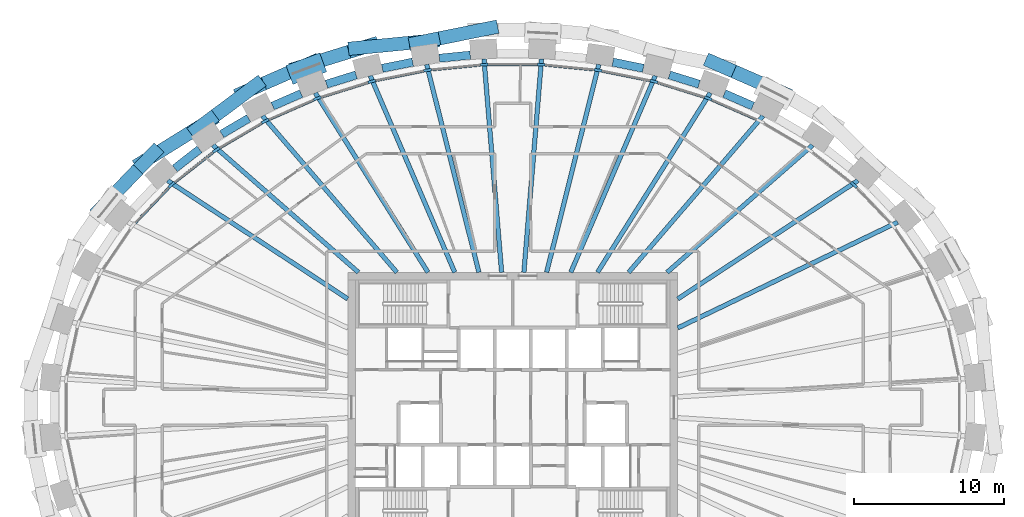
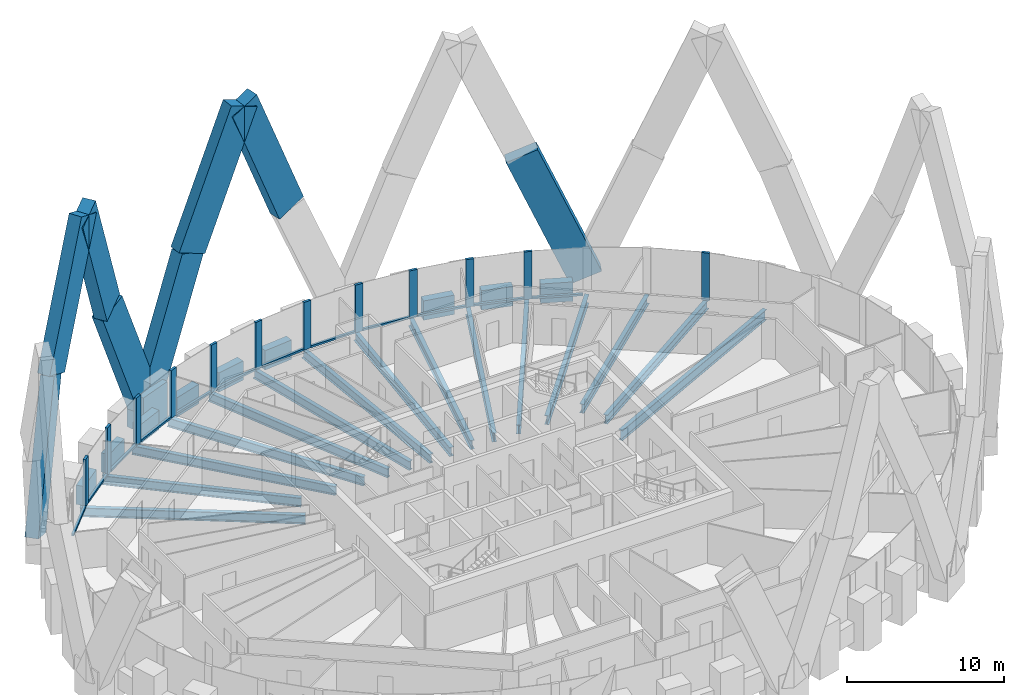
# One storey, part 4 of 14: 33 members, 24 beams, 1 element without a shape of its own.
"""IFC4 building model written with IfcOpenShell, lengths in metres."""

import ifcopenshell
import ifcopenshell.guid

model = None  # the IFC model being written
_history = None  # IfcOwnerHistory: only IFC2X3 demands one
_inside = {}  # id of a spatial element -> (the spatial element, [elements in it])
_under = {}  # id of a project, library or spatial element -> (it, [spatial elements below it])
_declared = {}  # id of a project -> (the project, [libraries it declares])
_typed = {}  # id of a type object -> (the type object, [elements of that type])
_made_of = {}  # id of a material, layer set ... -> (it, [elements and type objects made of it])


def new_model(schema):
    """Start an empty IFC model of exactly this schema.

    Asked for "IFC4X3", IfcOpenShell would pick the latest addendum, in which some entities
    have other attributes; the version numbers below select the first issue.
    IFC2X3 requires an IfcOwnerHistory on every rooted entity: one is made here for all.
    """
    global model, _history
    if schema == "IFC4X3":
        model = ifcopenshell.file(schema_version=(4, 3, 0, 0))
    else:
        model = ifcopenshell.file(schema=schema)
    _inside.clear()
    _under.clear()
    _declared.clear()
    _typed.clear()
    _made_of.clear()
    _history = None
    if model.schema == "IFC2X3":
        org = make("IfcOrganization", Name="unknown")
        user = make(
            "IfcPersonAndOrganization",
            ThePerson=make("IfcPerson", FamilyName="unknown"),
            TheOrganization=org,
        )
        app = make(
            "IfcApplication",
            ApplicationDeveloper=org,
            Version="unknown",
            ApplicationFullName="unknown",
            ApplicationIdentifier="unknown",
        )
        _history = make(
            "IfcOwnerHistory",
            OwningUser=user,
            OwningApplication=app,
            ChangeAction="ADDED",
            CreationDate=0,
        )
    return model


def make(cls, **values):
    """One entity of the class cls with the attributes given. An attribute that is None is left unset."""
    return model.create_entity(
        cls, **{name: value for name, value in values.items() if value is not None}
    )


def rooted(cls, **values):
    """An entity with a GlobalId (a new one), such as an element, a storey or a relation."""
    return make(cls, GlobalId=ifcopenshell.guid.new(), OwnerHistory=_history, **values)


def si_unit(unit_type, name, prefix=None):
    """IfcSIUnit, for example si_unit("LENGTHUNIT", "METRE", prefix="MILLI")."""
    return make("IfcSIUnit", UnitType=unit_type, Prefix=prefix, Name=name)


def assignment(units):
    """IfcUnitAssignment: the units of a project."""
    return None if units is None else make("IfcUnitAssignment", Units=units)


def point(xyz):
    """IfcCartesianPoint."""
    return None if xyz is None else make("IfcCartesianPoint", Coordinates=xyz)


def direction(xyz):
    """IfcDirection."""
    return None if xyz is None else make("IfcDirection", DirectionRatios=xyz)


def frame(location, z_axis=None, x_axis=None):
    """IfcAxis2Placement3D, a coordinate frame: its origin and axes. An axis left out is left unset."""
    return make(
        "IfcAxis2Placement3D",
        Location=point(location),
        Axis=direction(z_axis),
        RefDirection=direction(x_axis),
    )


def frame_2d(location, x_axis=None):
    """IfcAxis2Placement2D, a coordinate frame in the plane: its origin and x axis."""
    return make(
        "IfcAxis2Placement2D", Location=point(location), RefDirection=direction(x_axis)
    )


def origin():
    """The frame at (0, 0, 0) with its axes left unset."""
    return frame((0.0, 0.0, 0.0))


def origin_2d():
    """The frame at (0, 0) in the plane with its x axis left unset."""
    return frame_2d((0.0, 0.0))


def place(relative_to, where):
    """IfcLocalPlacement: puts the frame where relative to a parent placement (None: the world)."""
    return make(
        "IfcLocalPlacement", PlacementRelTo=relative_to, RelativePlacement=where
    )


def context(
    kind, dimensions, precision=None, world=None, true_north=None, identifier=None
):
    """IfcGeometricRepresentationContext, for example the 3D "Model" context."""
    return make(
        "IfcGeometricRepresentationContext",
        ContextIdentifier=identifier,
        ContextType=kind,
        CoordinateSpaceDimension=dimensions,
        Precision=precision,
        WorldCoordinateSystem=world,
        TrueNorth=true_north,
    )


def subcontext(parent, identifier, kind, view, scale=None):
    """IfcGeometricRepresentationSubContext, for example "Body" below "Model"."""
    return make(
        "IfcGeometricRepresentationSubContext",
        ContextIdentifier=identifier,
        ContextType=kind,
        ParentContext=parent,
        TargetScale=scale,
        TargetView=view,
    )


def project(units=None, contexts=None):
    """IfcProject with its units and contexts."""
    return rooted(
        "IfcProject",
        Name="project",
        RepresentationContexts=contexts,
        UnitsInContext=assignment(units),
    )


def spatial(cls, under=None, at=None, **own):
    """A site, building, storey or space (cls), placed at a placement, below another one or the project."""
    s = rooted(cls, ObjectPlacement=at, **own)
    if under is not None:
        _under.setdefault(under.id(), (under, []))[1].append(s)
    return s


def profile(cls, at=None, kind="AREA", **sizes):
    """A parametric profile (cls). Its sizes go by their IFC names, for example OverallWidth=200.0."""
    return make(cls, ProfileType=kind, Position=at, **sizes)


def rectangle(**sizes):
    """IfcRectangleProfileDef."""
    return profile("IfcRectangleProfileDef", **sizes)


def i_section(**sizes):
    """IfcIShapeProfileDef."""
    return profile("IfcIShapeProfileDef", **sizes)


def extrude(swept, where, along, depth):
    """IfcExtrudedAreaSolid: the profile swept, set in the frame where, extruded along a direction by depth."""
    return make(
        "IfcExtrudedAreaSolid",
        SweptArea=swept,
        Position=where,
        ExtrudedDirection=direction(along),
        Depth=depth,
    )


def shape(context_of_items, identifier, shape_type, items):
    """IfcShapeRepresentation: the items that make up one representation, for example the "Body"."""
    return make(
        "IfcShapeRepresentation",
        ContextOfItems=context_of_items,
        RepresentationIdentifier=identifier,
        RepresentationType=shape_type,
        Items=items,
    )


def source(mapping_origin, context_of_items, identifier, shape_type, items):
    """IfcRepresentationMap: a shape defined once, which mapped items show again and again."""
    return make(
        "IfcRepresentationMap",
        MappingOrigin=mapping_origin,
        MappedRepresentation=shape(context_of_items, identifier, shape_type, items),
    )


def transform(
    local_origin,
    x_axis=None,
    y_axis=None,
    z_axis=None,
    scale=None,
    scale2=None,
    scale3=None,
    uniform=True,
):
    """IfcCartesianTransformationOperator3D, or its non-uniform kind. x_axis, y_axis, z_axis: its Axis1, 2, 3."""
    if uniform:
        return make(
            "IfcCartesianTransformationOperator3D",
            Axis1=direction(x_axis),
            Axis2=direction(y_axis),
            LocalOrigin=point(local_origin),
            Scale=scale,
            Axis3=direction(z_axis),
        )
    return make(
        "IfcCartesianTransformationOperator3DnonUniform",
        Axis1=direction(x_axis),
        Axis2=direction(y_axis),
        LocalOrigin=point(local_origin),
        Scale=scale,
        Axis3=direction(z_axis),
        Scale2=scale2,
        Scale3=scale3,
    )


def mapped(mapping_source, mapping_target):
    """IfcMappedItem: shows the shape of a source again, moved by a transform."""
    return make(
        "IfcMappedItem", MappingSource=mapping_source, MappingTarget=mapping_target
    )


def material(Name=None, Category=None):
    """IfcMaterial."""
    return make("IfcMaterial", Name=Name, Category=Category)


def material_profile(
    of_material, cross_section, Name=None, Category=None, Priority=None
):
    """IfcMaterialProfile: a cross section and its material."""
    return make(
        "IfcMaterialProfile",
        Name=Name,
        Material=of_material,
        Profile=cross_section,
        Priority=Priority,
        Category=Category,
    )


def profile_set(profiles, Name=None, composite=None):
    """IfcMaterialProfileSet."""
    return make(
        "IfcMaterialProfileSet",
        Name=Name,
        MaterialProfiles=profiles,
        CompositeProfile=composite,
    )


def made_of(thing, what):
    """Note that an element or type object is made of a material, layer set ...; save() writes the relation."""
    if what is not None:
        _made_of.setdefault(what.id(), (what, []))[1].append(thing)
    return thing


def type_object(cls, material=None, **own):
    """A type object (cls), such as IfcWallType, which elements share."""
    return made_of(rooted(cls, **own), material)


def element(
    cls,
    number,
    at=None,
    inside=None,
    cuts=None,
    type_object=None,
    material=None,
    context=None,
    identifier="Body",
    shape_type=None,
    held_by="IfcProductDefinitionShape",
    body=None,
    shapes=None,
    **own,
):
    """One element of the class cls, such as IfcWall. Its Tag is "e" and its number.

    at: its placement. inside: the storey or other place that contains it. cuts: it is an
    opening in that element (IfcRelVoidsElement). A single representation is given by context,
    identifier, shape_type and body (its items); several are given by shapes. held_by: the class
    of the entity that holds the representations. save() writes the other relations.
    """
    e = rooted(cls, Tag="e%d" % number, ObjectPlacement=at, **own)
    if body is not None:
        shapes = [shape(context, identifier, shape_type, body)]
    if shapes is not None:
        e.Representation = make(held_by, Representations=shapes)
    if inside is not None:
        _inside.setdefault(inside.id(), (inside, []))[1].append(e)
    if cuts is not None:
        rooted(
            "IfcRelVoidsElement", RelatingBuildingElement=cuts, RelatedOpeningElement=e
        )
    if type_object is not None:
        _typed.setdefault(type_object.id(), (type_object, []))[1].append(e)
    return made_of(e, material)


def aggregate(whole, parts):
    """IfcRelAggregates: a whole, such as a stair, and the parts it consists of."""
    return rooted("IfcRelAggregates", RelatingObject=whole, RelatedObjects=parts)


def save(model, path):
    """Write the relations noted so far, then the file.

    IfcRelAggregates (storeys below a building ...), IfcRelContainedInSpatialStructure (elements
    in a storey), IfcRelDefinesByType, IfcRelAssociatesMaterial and IfcRelDeclares: one each for
    every whole, place, type object, material and project.
    """
    for whole, parts in _under.values():
        aggregate(whole, parts)
    for where, things in _inside.values():
        rooted(
            "IfcRelContainedInSpatialStructure",
            RelatedElements=things,
            RelatingStructure=where,
        )
    for kind, things in _typed.values():
        rooted("IfcRelDefinesByType", RelatedObjects=things, RelatingType=kind)
    for what, things in _made_of.values():
        rooted("IfcRelAssociatesMaterial", RelatedObjects=things, RelatingMaterial=what)
    for by, libraries in _declared.values():
        rooted("IfcRelDeclares", RelatingContext=by, RelatedDefinitions=libraries)
    model.write(path)


model = new_model("IFC4")

# Units and contexts
model_context = context("Model", 3, precision=1e-05, world=origin(), true_north=direction((0.0, 1.0)))
body_context = subcontext(model_context, "Body", "Model", "MODEL_VIEW")
ifc_project = project(units=[si_unit("LENGTHUNIT", "METRE"), si_unit("AREAUNIT", "SQUARE_METRE"), si_unit("VOLUMEUNIT", "CUBIC_METRE"), si_unit("PLANEANGLEUNIT", "RADIAN"), si_unit("MASSUNIT", "GRAM", prefix="KILO")], contexts=[model_context])

# Site, building, storey
site_placement = place(None, origin())
site = spatial("IfcSite", under=ifc_project, at=site_placement, CompositionType="ELEMENT")
building_placement = place(site_placement, origin())
building = spatial("IfcBuilding", under=site, at=building_placement, Name="Embergate Tower", CompositionType="ELEMENT")
storey_placement = place(building_placement, frame((0.0, 0.0, 297.39990234375)))
storey = spatial("IfcBuildingStorey", under=building, at=storey_placement, Name="L69", CompositionType="ELEMENT", Elevation=297.39990234375)

# Beams
ifc_material_1 = material(Name="Steel Q355B", Category="steel")
ifc_material_profile_1 = material_profile(ifc_material_1, i_section(OverallWidth=0.300048828125, OverallDepth=0.699951171875, WebThickness=0.012939453125, FlangeThickness=0.02392578125, FilletRadius=0.01806640625, at=origin_2d()), Name="HN 700x300x13x24")
ifc_profile_set_1 = profile_set([ifc_material_profile_1], Name="Steel Q355 grade B")
beam_type_1 = type_object("IfcBeamType", Name="Radial girder HN 700x300x13x24", PredefinedType="BEAM", material=ifc_profile_set_1)
shared_shape_1 = source(origin(), body_context, "Body", "SweptSolid", [
    extrude(i_section(OverallWidth=0.300048828125, OverallDepth=0.699951171875, WebThickness=0.012939453125, FlangeThickness=0.02392578125, FilletRadius=0.01806640625, at=origin_2d()), origin(), (0.0, 0.0, 1.0), 13.742431640625),
])
for number, where, z_axis, x_axis, name in (
    (1, (16.681884765625, 19.426025390625, -0.5498046875), (-0.651474345674, -0.758670664339, 0.0), (0.758670664339, -0.651474345674, 0.0), "GIR-L69-06"),
    (2, (-16.681884765625, 19.426025390625, -0.5498046875), (0.651474345674, -0.758670664339, 0.0), (0.758670664339, 0.651474345674, 0.0), "GIR-L69-15"),
):
    element("IfcBeam", number, at=place(storey_placement, frame(where, z_axis=z_axis, x_axis=x_axis)), inside=storey, type_object=beam_type_1, Name=name, PredefinedType="BEAM", context=body_context, shape_type="MappedRepresentation", body=[
        mapped(shared_shape_1, transform((0.0, 0.0, 0.0))),
    ])
ifc_material_2 = material(Name="Concrete C50", Category="concrete")
ifc_material_profile_2 = material_profile(ifc_material_2, rectangle(XDim=0.550048828125, YDim=1.5, at=origin_2d()), Name="RC 550x1500")
ifc_profile_set_2 = profile_set([ifc_material_profile_2], Name="Concrete C50")
beam_type_2 = type_object("IfcBeamType", Name="Spandrel beam RC 550x1500 C50", PredefinedType="BEAM", material=ifc_profile_set_2)
shared_shape_2 = source(origin(), body_context, "Body", "SweptSolid", [
    extrude(rectangle(XDim=0.550048828125, YDim=1.5, at=origin_2d()), origin(), (0.0, 0.0, 1.0), 2.0791015625),
])
beam_1_placement = place(storey_placement, frame((-20.887939453125, 17.2041015625, 0.0), z_axis=(-0.788383845435, -0.615183641084, 0.0), x_axis=(0.615183641084, -0.788383845435, 0.0)))
element("IfcBeam", 3, at=beam_1_placement, inside=storey, type_object=beam_type_2, Name="SPN-L69-16", PredefinedType="BEAM", context=body_context, shape_type="MappedRepresentation", body=[
    mapped(shared_shape_2, transform((0.0, 0.0, 0.0))),
])
shared_shape_3 = source(origin(), body_context, "Body", "SweptSolid", [
    extrude(rectangle(XDim=0.550048828125, YDim=1.5, at=origin_2d()), origin(), (0.0, 0.0, 1.0), 2.074462890625),
])
beam_2_placement = place(storey_placement, frame((-17.611083984375, 19.26806640625, 0.0), z_axis=(-0.861864620017, -0.507138419726, 0.0), x_axis=(0.507138419726, -0.861864620017, 0.0)))
element("IfcBeam", 4, at=beam_2_placement, inside=storey, type_object=beam_type_2, Name="SPN-L69-15", PredefinedType="BEAM", context=body_context, shape_type="MappedRepresentation", body=[
    mapped(shared_shape_3, transform((0.0, 0.0, 0.0))),
])
shared_shape_4 = source(origin(), body_context, "Body", "SweptSolid", [
    extrude(rectangle(XDim=0.550048828125, YDim=1.5, at=origin_2d()), origin(), (0.0, 0.0, 1.0), 2.073486328125),
])
for number, where, z_axis, x_axis, name in (
    (5, (16.008056640625, 20.0859375, 0.0), (-0.91637608024, 0.400318472673, 0.0), (-0.400318472673, -0.91637608024, 0.0), "SPN-L69-06"),
    (6, (-14.10791015625, 20.916015625, 0.0), (-0.91637608024, -0.400318472673, 0.0), (0.400318472673, -0.91637608024, 0.0), "SPN-L69-14"),
):
    element("IfcBeam", number, at=place(storey_placement, frame(where, z_axis=z_axis, x_axis=x_axis)), inside=storey, type_object=beam_type_2, Name=name, PredefinedType="BEAM", context=body_context, shape_type="MappedRepresentation", body=[
        mapped(shared_shape_4, transform((0.0, 0.0, 0.0))),
    ])
shared_shape_5 = source(origin(), body_context, "Body", "SweptSolid", [
    extrude(rectangle(XDim=0.550048828125, YDim=1.5, at=origin_2d()), origin(), (0.0, 0.0, 1.0), 2.07080078125),
])
for number, where, z_axis, x_axis, name in (
    (7, (12.422119140625, 21.544921875, 0.0), (-0.954735561173, 0.297455892917, 0.0), (-0.297455892917, -0.954735561173, 0.0), "SPN-L69-07"),
    (8, (-10.445068359375, 22.160888671875, 0.0), (-0.954735561173, -0.297455892917, 0.0), (0.297455892917, -0.954735561173, 0.0), "SPN-L69-13"),
):
    element("IfcBeam", number, at=place(storey_placement, frame(where, z_axis=z_axis, x_axis=x_axis)), inside=storey, type_object=beam_type_2, Name=name, PredefinedType="BEAM", context=body_context, shape_type="MappedRepresentation", body=[
        mapped(shared_shape_5, transform((0.0, 0.0, 0.0))),
    ])
shared_shape_6 = source(origin(), body_context, "Body", "SweptSolid", [
    extrude(rectangle(XDim=0.550048828125, YDim=1.5, at=origin_2d()), origin(), (0.0, 0.0, 1.0), 2.070556640625),
])
for number, where, z_axis, x_axis, name in (
    (9, (8.700927734375, 22.60595703125, 0.0), (-0.980398860457, 0.197023030165, 0.0), (-0.197023030165, -0.980398860457, 0.0), "SPN-L69-08"),
    (10, (-6.6708984375, 23.013916015625, 0.0), (-0.980398860457, -0.197023030165, 0.0), (0.197023030165, -0.980398860457, 0.0), "SPN-L69-12"),
):
    element("IfcBeam", number, at=place(storey_placement, frame(where, z_axis=z_axis, x_axis=x_axis)), inside=storey, type_object=beam_type_2, Name=name, PredefinedType="BEAM", context=body_context, shape_type="MappedRepresentation", body=[
        mapped(shared_shape_6, transform((0.0, 0.0, 0.0))),
    ])
shared_shape_7 = source(origin(), body_context, "Body", "SweptSolid", [
    extrude(rectangle(XDim=0.550048828125, YDim=1.5, at=origin_2d()), origin(), (0.0, 0.0, 1.0), 2.06884765625),
])
beam_3_placement = place(storey_placement, frame((-2.83203125, 23.48095703125, 0.0), z_axis=(-0.995226952233, -0.097587466149, 0.0), x_axis=(0.097587466149, -0.995226952233, 0.0)))
element("IfcBeam", 11, at=beam_3_placement, inside=storey, type_object=beam_type_2, Name="SPN-L69-11", PredefinedType="BEAM", context=body_context, shape_type="MappedRepresentation", body=[
    mapped(shared_shape_7, transform((0.0, 0.0, 0.0))),
])
ifc_material_profile_3 = material_profile(ifc_material_1, i_section(OverallWidth=0.300048828125, OverallDepth=0.800048828125, WebThickness=0.013916015625, FlangeThickness=0.02587890625, FilletRadius=0.028076171875, at=origin_2d()), Name="HN 800x300x14x26")
ifc_profile_set_3 = profile_set([ifc_material_profile_3], Name="Steel Q355 grade B")
beam_type_3 = type_object("IfcBeamType", Name="Radial girder HN 800x300x14x26", PredefinedType="BEAM", material=ifc_profile_set_3)
shared_shape_8 = source(origin(), body_context, "Body", "SweptSolid", [
    extrude(i_section(OverallWidth=0.300048828125, OverallDepth=0.800048828125, WebThickness=0.013916015625, FlangeThickness=0.02587890625, FilletRadius=0.028076171875, at=origin_2d()), origin(), (0.0, 0.0, 1.0), 16.268310546875),
])
beam_4_placement = place(storey_placement, frame((25.659912109375, 12.344970703125, -0.599853515625), z_axis=(-0.901133717561, -0.433541258791, 0.0), x_axis=(0.433541258791, -0.901133717561, 0.0)))
element("IfcBeam", 12, at=beam_4_placement, inside=storey, type_object=beam_type_3, Name="GIR-L69-03", PredefinedType="BEAM", context=body_context, shape_type="MappedRepresentation", body=[
    mapped(shared_shape_8, transform((0.0, 0.0, 0.0))),
])
shared_shape_9 = source(origin(), body_context, "Body", "SweptSolid", [
    extrude(i_section(OverallWidth=0.300048828125, OverallDepth=0.699951171875, WebThickness=0.012939453125, FlangeThickness=0.02392578125, FilletRadius=0.01806640625, at=origin_2d()), origin(), (0.0, 0.0, 1.0), 14.3740234375),
])
for number, where, z_axis, x_axis, name in (
    (13, (23.012939453125, 15.1201171875, -0.5498046875), (-0.835742226811, -0.549121963069, 0.0), (0.549121963069, -0.835742226811, 0.0), "GIR-L69-04"),
    (14, (-23.012939453125, 15.1201171875, -0.5498046875), (0.835742226811, -0.549121963069, 0.0), (0.549121963069, 0.835742226811, 0.0), "GIR-L69-17"),
):
    element("IfcBeam", number, at=place(storey_placement, frame(where, z_axis=z_axis, x_axis=x_axis)), inside=storey, type_object=beam_type_1, Name=name, PredefinedType="BEAM", context=body_context, shape_type="MappedRepresentation", body=[
        mapped(shared_shape_9, transform((0.0, 0.0, 0.0))),
    ])
shared_shape_10 = source(origin(), body_context, "Body", "SweptSolid", [
    extrude(i_section(OverallWidth=0.300048828125, OverallDepth=0.699951171875, WebThickness=0.012939453125, FlangeThickness=0.02392578125, FilletRadius=0.01806640625, at=origin_2d()), origin(), (0.0, 0.0, 1.0), 12.88330078125),
])
for number, where, z_axis, x_axis, name in (
    (15, (19.989013671875, 17.48095703125, -0.5498046875), (-0.752760969036, -0.658293949157, 0.0), (0.658293949157, -0.752760969036, 0.0), "GIR-L69-05"),
    (16, (-19.989013671875, 17.48095703125, -0.5498046875), (0.752760969036, -0.658293949157, 0.0), (0.658293949157, 0.752760969036, 0.0), "GIR-L69-16"),
):
    element("IfcBeam", number, at=place(storey_placement, frame(where, z_axis=z_axis, x_axis=x_axis)), inside=storey, type_object=beam_type_1, Name=name, PredefinedType="BEAM", context=body_context, shape_type="MappedRepresentation", body=[
        mapped(shared_shape_10, transform((0.0, 0.0, 0.0))),
    ])
shared_shape_11 = source(origin(), body_context, "Body", "SweptSolid", [
    extrude(i_section(OverallWidth=0.300048828125, OverallDepth=0.699951171875, WebThickness=0.012939453125, FlangeThickness=0.02392578125, FilletRadius=0.01806640625, at=origin_2d()), origin(), (0.0, 0.0, 1.0), 14.126953125),
])
for number, where, z_axis, x_axis, name in (
    (17, (13.166015625, 20.962890625, -0.5498046875), (-0.531886600535, -0.846815590416, 0.0), (0.846815590416, -0.531886600535, 0.0), "GIR-L69-07"),
    (18, (-13.166015625, 20.962890625, -0.5498046875), (0.531886600535, -0.846815590416, 0.0), (0.846815590416, 0.531886600535, 0.0), "GIR-L69-14"),
):
    element("IfcBeam", number, at=place(storey_placement, frame(where, z_axis=z_axis, x_axis=x_axis)), inside=storey, type_object=beam_type_1, Name=name, PredefinedType="BEAM", context=body_context, shape_type="MappedRepresentation", body=[
        mapped(shared_shape_11, transform((0.0, 0.0, 0.0))),
    ])
shared_shape_12 = source(origin(), body_context, "Body", "SweptSolid", [
    extrude(i_section(OverallWidth=0.300048828125, OverallDepth=0.699951171875, WebThickness=0.012939453125, FlangeThickness=0.02392578125, FilletRadius=0.01806640625, at=origin_2d()), origin(), (0.0, 0.0, 1.0), 14.263427734375),
])
for number, where, z_axis, x_axis, name in (
    (19, (9.501953125, 22.10400390625, -0.5498046875), (-0.394929229866, -0.918711545262, 0.0), (0.918711545262, -0.394929229866, 0.0), "GIR-L69-08"),
    (20, (-9.501953125, 22.10400390625, -0.5498046875), (0.394929229866, -0.918711545262, 0.0), (0.918711545262, 0.394929229866, 0.0), "GIR-L69-13"),
):
    element("IfcBeam", number, at=place(storey_placement, frame(where, z_axis=z_axis, x_axis=x_axis)), inside=storey, type_object=beam_type_1, Name=name, PredefinedType="BEAM", context=body_context, shape_type="MappedRepresentation", body=[
        mapped(shared_shape_12, transform((0.0, 0.0, 0.0))),
    ])
shared_shape_13 = source(origin(), body_context, "Body", "SweptSolid", [
    extrude(i_section(OverallWidth=0.300048828125, OverallDepth=0.699951171875, WebThickness=0.012939453125, FlangeThickness=0.02392578125, FilletRadius=0.01806640625, at=origin_2d()), origin(), (0.0, 0.0, 1.0), 14.288818359375),
])
for number, where, z_axis, x_axis, name in (
    (21, (5.738037109375, 22.85888671875, -0.5498046875), (-0.243476248961, -0.969906859545, 0.0), (0.969906859545, -0.243476248961, 0.0), "GIR-L69-09"),
    (22, (-5.738037109375, 22.85888671875, -0.5498046875), (0.243476248961, -0.969906859545, 0.0), (0.969906859545, 0.243476248961, 0.0), "GIR-L69-12"),
):
    element("IfcBeam", number, at=place(storey_placement, frame(where, z_axis=z_axis, x_axis=x_axis)), inside=storey, type_object=beam_type_1, Name=name, PredefinedType="BEAM", context=body_context, shape_type="MappedRepresentation", body=[
        mapped(shared_shape_13, transform((0.0, 0.0, 0.0))),
    ])
shared_shape_14 = source(origin(), body_context, "Body", "SweptSolid", [
    extrude(i_section(OverallWidth=0.300048828125, OverallDepth=0.699951171875, WebThickness=0.012939453125, FlangeThickness=0.02392578125, FilletRadius=0.01806640625, at=origin_2d()), origin(), (0.0, 0.0, 1.0), 14.282470703125),
])
for number, where, z_axis, x_axis, name in (
    (23, (1.9189453125, 23.23388671875, -0.5498046875), (-0.082340957712, -0.996604217673, 0.0), (0.996604217673, -0.082340957712, 0.0), "GIR-L69-10"),
    (24, (-1.9189453125, 23.23388671875, -0.5498046875), (0.082340957712, -0.996604217673, 0.0), (0.996604217673, 0.082340957712, 0.0), "GIR-L69-11"),
):
    element("IfcBeam", number, at=place(storey_placement, frame(where, z_axis=z_axis, x_axis=x_axis)), inside=storey, type_object=beam_type_1, Name=name, PredefinedType="BEAM", context=body_context, shape_type="MappedRepresentation", body=[
        mapped(shared_shape_14, transform((0.0, 0.0, 0.0))),
    ])

# Members
ifc_material_3 = material(Name="Concrete C70", Category="concrete")
ifc_material_profile_4 = material_profile(ifc_material_3, rectangle(XDim=1.35009765625, YDim=2.39990234375, at=origin_2d()), Name="RC 1350x2400")
ifc_profile_set_4 = profile_set([ifc_material_profile_4], Name="Concrete C70")
member_type_1 = type_object("IfcMemberType", Name="Lattice node block RC 1350x2400", PredefinedType="POST", material=ifc_profile_set_4)
shared_shape_15 = source(origin(), body_context, "Body", "SweptSolid", [
    extrude(rectangle(XDim=1.35009765625, YDim=2.39990234375, at=origin_2d()), origin(), (0.0, 0.0, 1.0), 2.800048828125),
])
member_1_placement = place(storey_placement, frame((-13.76611328125, 22.580078125, -1.39990234375), z_axis=(0.0, 0.0, 1.0), x_axis=(-0.348343015724, 0.93736713373, 0.0)))
element("IfcMember", 25, at=member_1_placement, inside=storey, type_object=member_type_1, Name="NOD-L69-14", PredefinedType="POST", context=body_context, shape_type="MappedRepresentation", body=[
    mapped(shared_shape_15, transform((0.0, 0.0, 0.0))),
])
ifc_material_profile_5 = material_profile(ifc_material_3, rectangle(XDim=0.89990234375, YDim=2.199951171875, at=origin_2d()), Name="RC 900x2200")
ifc_profile_set_5 = profile_set([ifc_material_profile_5], Name="Concrete C70")
member_type_2 = type_object("IfcMemberType", Name="Lattice diagonal terracotta-faced RC 900x2200", PredefinedType="BRACE", material=ifc_profile_set_5)
shared_shape_16 = source(origin(), body_context, "Body", "SweptSolid", [
    extrude(rectangle(XDim=0.89990234375, YDim=2.199951171875, at=origin_2d()), origin(), (0.0, 0.0, 1.0), 10.577392578125),
])
member_2_placement = place(storey_placement, frame((17.56494140625, 21.1640625, 0.0), z_axis=(-0.355382386336, 0.155036922064, 0.921773785849), x_axis=(-0.399859896252, -0.916576272532, 0.0)))
element("IfcMember", 26, at=member_2_placement, inside=storey, type_object=member_type_2, Name="BRC-L69-06-08-S00", PredefinedType="BRACE", context=body_context, shape_type="MappedRepresentation", body=[
    mapped(shared_shape_16, transform((0.0, 0.0, 0.0))),
])
shared_shape_17 = source(origin(), body_context, "Body", "SweptSolid", [
    extrude(rectangle(XDim=0.89990234375, YDim=2.199951171875, at=origin_2d()), origin(), (0.0, 0.0, 1.0), 10.523193359375),
])
member_3_placement = place(storey_placement, frame((-2.007080078125, 25.181884765625, 9.75), z_axis=(-0.368790159638, -0.074495797848, 0.926522635588), x_axis=(0.198001250328, -0.980201767428, 0.0)))
element("IfcMember", 27, at=member_3_placement, inside=storey, type_object=member_type_2, Name="BRC-L69-10-12-S01", PredefinedType="BRACE", context=body_context, shape_type="MappedRepresentation", body=[
    mapped(shared_shape_17, transform((0.0, 0.0, 0.0))),
])
shared_shape_18 = source(origin(), body_context, "Body", "SweptSolid", [
    extrude(rectangle(XDim=0.89990234375, YDim=2.199951171875, at=origin_2d()), origin(), (0.0, 0.0, 1.0), 10.568359375),
])
member_4_placement = place(storey_placement, frame((-13.844970703125, 22.791015625, 0.0), z_axis=(0.368462628565, 0.114489077566, 0.922565738833), x_axis=(-0.296726871369, 0.954962388687, 0.0)))
element("IfcMember", 28, at=member_4_placement, inside=storey, type_object=member_type_2, Name="BRC-L69-14-12-S00", PredefinedType="BRACE", context=body_context, shape_type="MappedRepresentation", body=[
    mapped(shared_shape_18, transform((0.0, 0.0, 0.0))),
])
shared_shape_19 = source(origin(), body_context, "Body", "SweptSolid", [
    extrude(rectangle(XDim=0.89990234375, YDim=2.199951171875, at=origin_2d()), origin(), (0.0, 0.0, 1.0), 10.570068359375),
])
member_5_placement = place(storey_placement, frame((-9.950927734375, 24.0009765625, 9.75), z_axis=(0.384383408048, 0.037556028211, 0.922409312812), x_axis=(-0.097241562071, 0.995260809339, 0.0)))
element("IfcMember", 29, at=member_5_placement, inside=storey, type_object=member_type_2, Name="BRC-L69-14-12-S01", PredefinedType="BRACE", context=body_context, shape_type="MappedRepresentation", body=[
    mapped(shared_shape_19, transform((0.0, 0.0, 0.0))),
])
shared_shape_20 = source(origin(), body_context, "Body", "SweptSolid", [
    extrude(rectangle(XDim=0.89990234375, YDim=2.199951171875, at=origin_2d()), origin(), (0.0, 0.0, 1.0), 10.543701171875),
])
member_6_placement = place(storey_placement, frame((-13.844970703125, 22.791015625, 0.0), z_axis=(-0.348735265358, -0.152613646768, 0.924712273908), x_axis=(0.400911368929, -0.916116845311, 0.0)))
element("IfcMember", 30, at=member_6_placement, inside=storey, type_object=member_type_2, Name="BRC-L69-14-16-S00", PredefinedType="BRACE", context=body_context, shape_type="MappedRepresentation", body=[
    mapped(shared_shape_20, transform((0.0, 0.0, 0.0))),
])
shared_shape_21 = source(origin(), body_context, "Body", "SweptSolid", [
    extrude(rectangle(XDim=0.89990234375, YDim=2.199951171875, at=origin_2d()), origin(), (0.0, 0.0, 1.0), 10.498046875),
])
member_7_placement = place(storey_placement, frame((-17.52197265625, 21.181884765625, 9.75), z_axis=(-0.297114150188, -0.221742597217, 0.928737531457), x_axis=(0.59811147292, -0.801412918514, 0.0)))
element("IfcMember", 31, at=member_7_placement, inside=storey, type_object=member_type_2, Name="BRC-L69-14-16-S01", PredefinedType="BRACE", context=body_context, shape_type="MappedRepresentation", body=[
    mapped(shared_shape_21, transform((0.0, 0.0, 0.0))),
])
shared_shape_22 = source(origin(), body_context, "Body", "SweptSolid", [
    extrude(rectangle(XDim=0.89990234375, YDim=2.199951171875, at=origin_2d()), origin(), (0.0, 0.0, 1.0), 10.60791015625),
])
member_8_placement = place(storey_placement, frame((-27.173095703125, 13.574951171875, 0.0), z_axis=(0.272356000098, 0.284691881123, 0.919115195192), x_axis=(-0.722588572584, 0.691278348259, 0.0)))
element("IfcMember", 32, at=member_8_placement, inside=storey, type_object=member_type_2, Name="BRC-L69-18-16-S00", PredefinedType="BRACE", context=body_context, shape_type="MappedRepresentation", body=[
    mapped(shared_shape_22, transform((0.0, 0.0, 0.0))),
])
shared_shape_23 = source(origin(), body_context, "Body", "SweptSolid", [
    extrude(rectangle(XDim=0.89990234375, YDim=2.199951171875, at=origin_2d()), origin(), (0.0, 0.0, 1.0), 10.650634765625),
])
member_9_placement = place(storey_placement, frame((-24.283935546875, 16.594970703125, 9.75), z_axis=(0.342028858084, 0.212103278859, 0.915438943532), x_axis=(-0.527021127315, 0.849852182067, 0.0)))
element("IfcMember", 33, at=member_9_placement, inside=storey, type_object=member_type_2, Name="BRC-L69-18-16-S01", PredefinedType="BRACE", context=body_context, shape_type="MappedRepresentation", body=[
    mapped(shared_shape_23, transform((0.0, 0.0, 0.0))),
])

# Curtain wall, members
ifc_material_4 = material(Name="Aluminium and glass", Category="aluminium")
curtain_wall_type = type_object("IfcCurtainWallType", Name="Recessed office glazing", PredefinedType="NOTDEFINED", material=ifc_material_4)
curtain_wall_placement = place(storey_placement, origin())
curtain_wall = element("IfcCurtainWall", 34, at=curtain_wall_placement, inside=storey, type_object=curtain_wall_type, Name="Recessed office glazing ring", ObjectType="RECESSED OFFICE GLAZING", PredefinedType="USERDEFINED")
ifc_material_5 = material(Name="Aluminium, thermally broken", Category="aluminium")
ifc_material_profile_6 = material_profile(ifc_material_5, rectangle(XDim=0.179931640625, YDim=0.52001953125, at=origin_2d()), Name="AL 520x180")
ifc_profile_set_6 = profile_set([ifc_material_profile_6], Name="Aluminium, thermally broken")
member_type_3 = type_object("IfcMemberType", Name="Office mullion", PredefinedType="MULLION", material=ifc_profile_set_6)
shared_shape_24 = source(origin(), body_context, "Body", "SweptSolid", [
    extrude(rectangle(XDim=0.179931640625, YDim=0.52001953125, at=origin_2d()), origin(), (0.0, 0.0, 1.0), 3.7001953125),
])
member_10_placement = place(storey_placement, frame((22.752197265625, 14.83056640625, 0.0), z_axis=(0.0, 0.0, 1.0), x_axis=(-0.671220065284, -0.741258135847, 0.0)))
member_10 = element("IfcMember", 35, at=member_10_placement, type_object=member_type_3, Name="CW mullion 5", PredefinedType="MULLION", context=body_context, shape_type="MappedRepresentation", body=[
    mapped(shared_shape_24, transform((0.0, 0.0, 0.0))),
])
member_11_placement = place(storey_placement, frame((13.029541015625, 20.597412109375, 0.0), z_axis=(0.0, 0.0, 1.0), x_axis=(-0.349501047589, -0.936935973124, 0.0)))
member_11 = element("IfcMember", 36, at=member_11_placement, type_object=member_type_3, Name="CW mullion 8", PredefinedType="MULLION", context=body_context, shape_type="MappedRepresentation", body=[
    mapped(shared_shape_24, transform((0.0, 0.0, 0.0))),
])
member_12_placement = place(storey_placement, frame((9.405029296875, 21.72607421875, 0.0), z_axis=(0.0, 0.0, 1.0), x_axis=(-0.24731188137, -0.968935928394, 0.0)))
member_12 = element("IfcMember", 37, at=member_12_placement, type_object=member_type_3, Name="CW mullion 9", PredefinedType="MULLION", context=body_context, shape_type="MappedRepresentation", body=[
    mapped(shared_shape_24, transform((0.0, 0.0, 0.0))),
])
member_13_placement = place(storey_placement, frame((5.68115234375, 22.472900390625, 0.0), z_axis=(0.0, 0.0, 1.0), x_axis=(-0.147412382818, -0.989075118174, 0.0)))
member_13 = element("IfcMember", 38, at=member_13_placement, type_object=member_type_3, Name="CW mullion 10", PredefinedType="MULLION", context=body_context, shape_type="MappedRepresentation", body=[
    mapped(shared_shape_24, transform((0.0, 0.0, 0.0))),
])
member_14_placement = place(storey_placement, frame((1.89990234375, 22.844482421875, 0.0), z_axis=(0.0, 0.0, 1.0), x_axis=(-0.048971796621, -0.998800161762, 0.0)))
member_14 = element("IfcMember", 39, at=member_14_placement, type_object=member_type_3, Name="CW mullion 11", PredefinedType="MULLION", context=body_context, shape_type="MappedRepresentation", body=[
    mapped(shared_shape_24, transform((0.0, 0.0, 0.0))),
])
member_15_placement = place(storey_placement, frame((-1.89990234375, 22.844482421875, 0.0), z_axis=(0.0, 0.0, 1.0), x_axis=(0.048971796621, -0.998800161762, 0.0)))
member_15 = element("IfcMember", 40, at=member_15_placement, type_object=member_type_3, Name="CW mullion 12", PredefinedType="MULLION", context=body_context, shape_type="MappedRepresentation", body=[
    mapped(shared_shape_24, transform((0.0, 0.0, 0.0))),
])
member_16_placement = place(storey_placement, frame((-5.68115234375, 22.472900390625, 0.0), z_axis=(0.0, 0.0, 1.0), x_axis=(0.147412382818, -0.989075118174, 0.0)))
member_16 = element("IfcMember", 41, at=member_16_placement, type_object=member_type_3, Name="CW mullion 13", PredefinedType="MULLION", context=body_context, shape_type="MappedRepresentation", body=[
    mapped(shared_shape_24, transform((0.0, 0.0, 0.0))),
])
member_17_placement = place(storey_placement, frame((-9.405029296875, 21.72607421875, 0.0), z_axis=(0.0, 0.0, 1.0), x_axis=(0.24731188137, -0.968935928394, 0.0)))
member_17 = element("IfcMember", 42, at=member_17_placement, type_object=member_type_3, Name="CW mullion 14", PredefinedType="MULLION", context=body_context, shape_type="MappedRepresentation", body=[
    mapped(shared_shape_24, transform((0.0, 0.0, 0.0))),
])
member_18_placement = place(storey_placement, frame((-13.029541015625, 20.597412109375, 0.0), z_axis=(0.0, 0.0, 1.0), x_axis=(0.349501047589, -0.936935973124, 0.0)))
member_18 = element("IfcMember", 43, at=member_18_placement, type_object=member_type_3, Name="CW mullion 15", PredefinedType="MULLION", context=body_context, shape_type="MappedRepresentation", body=[
    mapped(shared_shape_24, transform((0.0, 0.0, 0.0))),
])
member_19_placement = place(storey_placement, frame((-16.504638671875, 19.077880859375, 0.0), z_axis=(0.0, 0.0, 1.0), x_axis=(0.454508271251, -0.890742516872, 0.0)))
member_19 = element("IfcMember", 44, at=member_19_placement, type_object=member_type_3, Name="CW mullion 16", PredefinedType="MULLION", context=body_context, shape_type="MappedRepresentation", body=[
    mapped(shared_shape_24, transform((0.0, 0.0, 0.0))),
])
member_20_placement = place(storey_placement, frame((-19.770263671875, 17.15771484375, 0.0), z_axis=(0.0, 0.0, 1.0), x_axis=(0.562211845055, -0.826993253467, 0.0)))
member_20 = element("IfcMember", 45, at=member_20_placement, type_object=member_type_3, Name="CW mullion 17", PredefinedType="MULLION", context=body_context, shape_type="MappedRepresentation", body=[
    mapped(shared_shape_24, transform((0.0, 0.0, 0.0))),
])
member_21_placement = place(storey_placement, frame((-22.752197265625, 14.83056640625, 0.0), z_axis=(0.0, 0.0, 1.0), x_axis=(0.671220065284, -0.741258135847, 0.0)))
member_21 = element("IfcMember", 46, at=member_21_placement, type_object=member_type_3, Name="CW mullion 18", PredefinedType="MULLION", context=body_context, shape_type="MappedRepresentation", body=[
    mapped(shared_shape_24, transform((0.0, 0.0, 0.0))),
])
ifc_material_profile_7 = material_profile(ifc_material_5, rectangle(XDim=0.179931640625, YDim=0.14990234375, at=origin_2d()), Name="AL 150x180")
ifc_profile_set_7 = profile_set([ifc_material_profile_7], Name="Aluminium, thermally broken")
member_type_4 = type_object("IfcMemberType", Name="Office sill transom", PredefinedType="USERDEFINED", material=ifc_profile_set_7)
shared_shape_25 = source(origin(), body_context, "Body", "SweptSolid", [
    extrude(rectangle(XDim=0.179931640625, YDim=0.14990234375, at=origin_2d()), origin(), (0.0, 0.0, 1.0), 3.255126953125),
])
member_22_placement = place(storey_placement, frame((-22.931640625, 14.642333984375, 0.0751953125), z_axis=(-0.690106396673, -0.723707925389, 0.0), x_axis=(0.723707925389, -0.690106396673, 0.0)))
member_22 = element("IfcMember", 47, at=member_22_placement, type_object=member_type_4, Name="CW transom 18.1", ObjectType="TRANSOM", PredefinedType="USERDEFINED", context=body_context, shape_type="MappedRepresentation", body=[
    mapped(shared_shape_25, transform((0.0, 0.0, 0.0))),
])
shared_shape_26 = source(origin(), body_context, "Body", "SweptSolid", [
    extrude(rectangle(XDim=0.179931640625, YDim=0.14990234375, at=origin_2d()), origin(), (0.0, 0.0, 1.0), 3.262451171875),
])
member_23_placement = place(storey_placement, frame((-19.975341796875, 16.997802734375, 0.0751953125), z_axis=(-0.788303389344, -0.615286735066, 0.0), x_axis=(0.615286735066, -0.788303389344, 0.0)))
member_23 = element("IfcMember", 48, at=member_23_placement, type_object=member_type_4, Name="CW transom 17.1", ObjectType="TRANSOM", PredefinedType="USERDEFINED", context=body_context, shape_type="MappedRepresentation", body=[
    mapped(shared_shape_26, transform((0.0, 0.0, 0.0))),
])
shared_shape_27 = source(origin(), body_context, "Body", "SweptSolid", [
    extrude(rectangle(XDim=0.179931640625, YDim=0.14990234375, at=origin_2d()), origin(), (0.0, 0.0, 1.0), 3.268310546875),
])
member_24_placement = place(storey_placement, frame((-16.728759765625, 18.946044921875, 0.0751953125), z_axis=(-0.862039813646, -0.506840566342, 0.0), x_axis=(0.506840566342, -0.862039813646, 0.0)))
member_24 = element("IfcMember", 49, at=member_24_placement, type_object=member_type_4, Name="CW transom 16.1", ObjectType="TRANSOM", PredefinedType="USERDEFINED", context=body_context, shape_type="MappedRepresentation", body=[
    mapped(shared_shape_27, transform((0.0, 0.0, 0.0))),
])
shared_shape_28 = source(origin(), body_context, "Body", "SweptSolid", [
    extrude(rectangle(XDim=0.179931640625, YDim=0.14990234375, at=origin_2d()), origin(), (0.0, 0.0, 1.0), 3.27294921875),
])
member_25_placement = place(storey_placement, frame((16.266357421875, 19.181884765625, 0.0751953125), z_axis=(-0.91623435737, 0.400642736582, 0.0), x_axis=(-0.400642736582, -0.91623435737, 0.0)))
member_25 = element("IfcMember", 50, at=member_25_placement, type_object=member_type_4, Name="CW transom 7.1", ObjectType="TRANSOM", PredefinedType="USERDEFINED", context=body_context, shape_type="MappedRepresentation", body=[
    mapped(shared_shape_28, transform((0.0, 0.0, 0.0))),
])
member_26_placement = place(storey_placement, frame((-13.267578125, 20.4931640625, 0.0751953125), z_axis=(-0.91623435737, -0.400642736582, 0.0), x_axis=(0.400642736582, -0.91623435737, 0.0)))
member_26 = element("IfcMember", 51, at=member_26_placement, type_object=member_type_4, Name="CW transom 15.1", ObjectType="TRANSOM", PredefinedType="USERDEFINED", context=body_context, shape_type="MappedRepresentation", body=[
    mapped(shared_shape_28, transform((0.0, 0.0, 0.0))),
])
shared_shape_29 = source(origin(), body_context, "Body", "SweptSolid", [
    extrude(rectangle(XDim=0.179931640625, YDim=0.14990234375, at=origin_2d()), origin(), (0.0, 0.0, 1.0), 3.276123046875),
])
member_27_placement = place(storey_placement, frame((12.78125, 20.674560546875, 0.0751953125), z_axis=(-0.954771243255, 0.297341340976, 0.0), x_axis=(-0.297341340976, -0.954771243255, 0.0)))
member_27 = element("IfcMember", 52, at=member_27_placement, type_object=member_type_4, Name="CW transom 8.1", ObjectType="TRANSOM", PredefinedType="USERDEFINED", context=body_context, shape_type="MappedRepresentation", body=[
    mapped(shared_shape_29, transform((0.0, 0.0, 0.0))),
])
member_28_placement = place(storey_placement, frame((-9.6533203125, 21.648681640625, 0.0751953125), z_axis=(-0.954771243255, -0.297341340976, 0.0), x_axis=(0.297341340976, -0.954771243255, 0.0)))
member_28 = element("IfcMember", 53, at=member_28_placement, type_object=member_type_4, Name="CW transom 14.1", ObjectType="TRANSOM", PredefinedType="USERDEFINED", context=body_context, shape_type="MappedRepresentation", body=[
    mapped(shared_shape_29, transform((0.0, 0.0, 0.0))),
])
shared_shape_30 = source(origin(), body_context, "Body", "SweptSolid", [
    extrude(rectangle(XDim=0.179931640625, YDim=0.14990234375, at=origin_2d()), origin(), (0.0, 0.0, 1.0), 3.278076171875),
])
member_29_placement = place(storey_placement, frame((9.150146484375, 21.777099609375, 0.0751953125), z_axis=(-0.98046593112, 0.196688987777, 0.0), x_axis=(-0.196688987777, -0.98046593112, 0.0)))
member_29 = element("IfcMember", 54, at=member_29_placement, type_object=member_type_4, Name="CW transom 9.1", ObjectType="TRANSOM", PredefinedType="USERDEFINED", context=body_context, shape_type="MappedRepresentation", body=[
    mapped(shared_shape_30, transform((0.0, 0.0, 0.0))),
])
member_30_placement = place(storey_placement, frame((-5.93603515625, 22.421875, 0.0751953125), z_axis=(-0.98046593112, -0.196688987777, 0.0), x_axis=(0.196688987777, -0.98046593112, 0.0)))
member_30 = element("IfcMember", 55, at=member_30_placement, type_object=member_type_4, Name="CW transom 13.1", ObjectType="TRANSOM", PredefinedType="USERDEFINED", context=body_context, shape_type="MappedRepresentation", body=[
    mapped(shared_shape_30, transform((0.0, 0.0, 0.0))),
])
shared_shape_31 = source(origin(), body_context, "Body", "SweptSolid", [
    extrude(rectangle(XDim=0.179931640625, YDim=0.14990234375, at=origin_2d()), origin(), (0.0, 0.0, 1.0), 3.279296875),
])
member_31_placement = place(storey_placement, frame((5.42236328125, 22.498291015625, 0.0751953125), z_axis=(-0.995203828947, 0.097822997549, 0.0), x_axis=(-0.097822997549, -0.995203828947, 0.0)))
member_31 = element("IfcMember", 56, at=member_31_placement, type_object=member_type_4, Name="CW transom 10.1", ObjectType="TRANSOM", PredefinedType="USERDEFINED", context=body_context, shape_type="MappedRepresentation", body=[
    mapped(shared_shape_31, transform((0.0, 0.0, 0.0))),
])
member_32_placement = place(storey_placement, frame((-2.15869140625, 22.819091796875, 0.0751953125), z_axis=(-0.995203828947, -0.097822997549, 0.0), x_axis=(0.097822997549, -0.995203828947, 0.0)))
member_32 = element("IfcMember", 57, at=member_32_placement, type_object=member_type_4, Name="CW transom 12.1", ObjectType="TRANSOM", PredefinedType="USERDEFINED", context=body_context, shape_type="MappedRepresentation", body=[
    mapped(shared_shape_31, transform((0.0, 0.0, 0.0))),
])
shared_shape_32 = source(origin(), body_context, "Body", "SweptSolid", [
    extrude(rectangle(XDim=0.179931640625, YDim=0.14990234375, at=origin_2d()), origin(), (0.0, 0.0, 1.0), 3.27978515625),
])
member_33_placement = place(storey_placement, frame((1.639892578125, 22.844482421875, 0.0751953125), z_axis=(-1.0, 0.0, 0.0), x_axis=(0.0, -1.0, 0.0)))
member_33 = element("IfcMember", 58, at=member_33_placement, type_object=member_type_4, Name="CW transom 11.1", ObjectType="TRANSOM", PredefinedType="USERDEFINED", context=body_context, shape_type="MappedRepresentation", body=[
    mapped(shared_shape_32, transform((0.0, 0.0, 0.0))),
])
aggregate(curtain_wall, [member_10, member_11, member_12, member_13, member_14, member_15, member_16, member_17, member_18, member_19, member_20, member_21, member_25, member_27, member_29, member_31, member_33, member_32, member_30, member_28, member_26, member_24, member_23, member_22])

save(model, "model.ifc")
